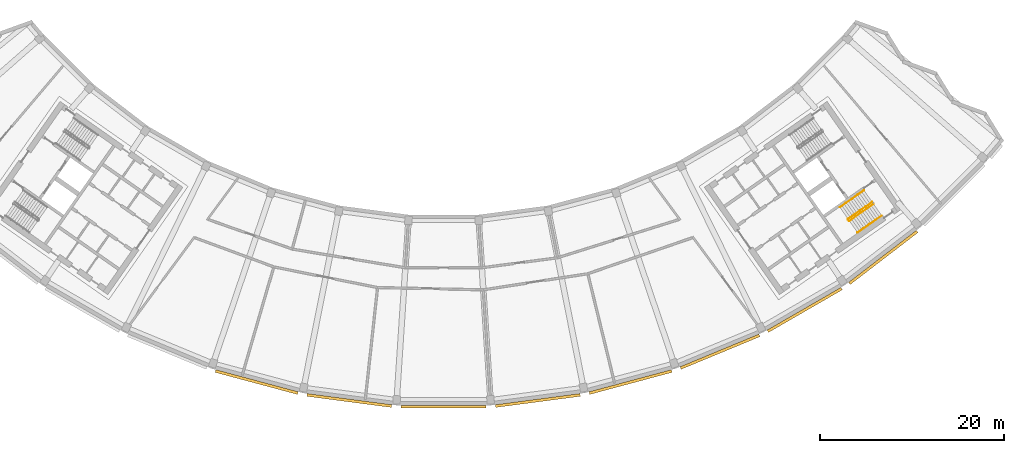
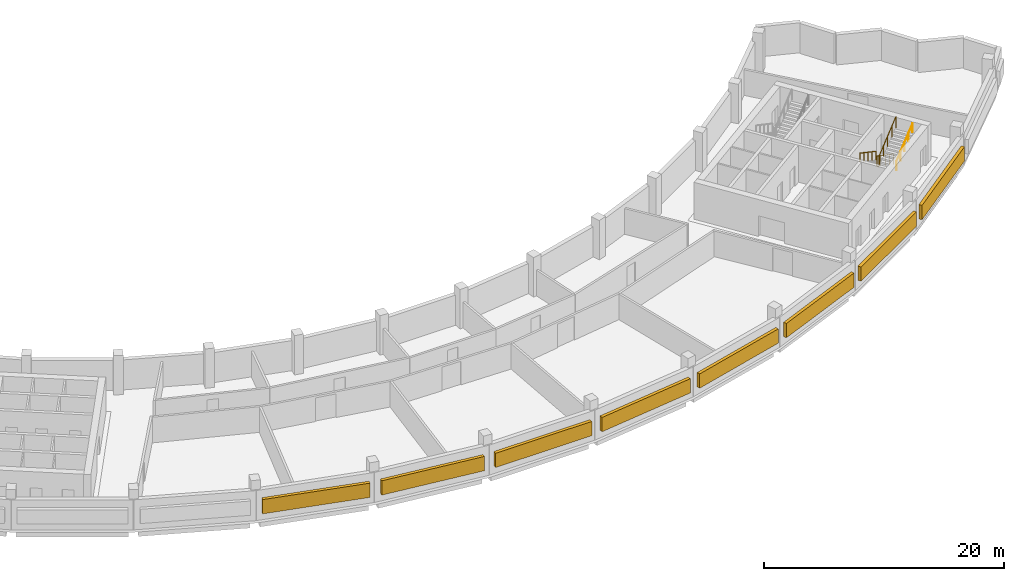
# One storey, part 10 of 11: 8 shading devices, 4 railings.
"""IFC4 building model written with IfcOpenShell, lengths in metres."""

import ifcopenshell
import ifcopenshell.guid

model = None  # the IFC model being written
_history = None  # IfcOwnerHistory: only IFC2X3 demands one
_inside = {}  # id of a spatial element -> (the spatial element, [elements in it])
_under = {}  # id of a project, library or spatial element -> (it, [spatial elements below it])
_declared = {}  # id of a project -> (the project, [libraries it declares])
_typed = {}  # id of a type object -> (the type object, [elements of that type])
_made_of = {}  # id of a material, layer set ... -> (it, [elements and type objects made of it])


def new_model(schema):
    """Start an empty IFC model of exactly this schema.

    Asked for "IFC4X3", IfcOpenShell would pick the latest addendum, in which some entities
    have other attributes; the version numbers below select the first issue.
    IFC2X3 requires an IfcOwnerHistory on every rooted entity: one is made here for all.
    """
    global model, _history
    if schema == "IFC4X3":
        model = ifcopenshell.file(schema_version=(4, 3, 0, 0))
    else:
        model = ifcopenshell.file(schema=schema)
    _inside.clear()
    _under.clear()
    _declared.clear()
    _typed.clear()
    _made_of.clear()
    _history = None
    if model.schema == "IFC2X3":
        org = make("IfcOrganization", Name="unknown")
        user = make(
            "IfcPersonAndOrganization",
            ThePerson=make("IfcPerson", FamilyName="unknown"),
            TheOrganization=org,
        )
        app = make(
            "IfcApplication",
            ApplicationDeveloper=org,
            Version="unknown",
            ApplicationFullName="unknown",
            ApplicationIdentifier="unknown",
        )
        _history = make(
            "IfcOwnerHistory",
            OwningUser=user,
            OwningApplication=app,
            ChangeAction="ADDED",
            CreationDate=0,
        )
    return model


def make(cls, **values):
    """One entity of the class cls with the attributes given. An attribute that is None is left unset."""
    return model.create_entity(
        cls, **{name: value for name, value in values.items() if value is not None}
    )


def rooted(cls, **values):
    """An entity with a GlobalId (a new one), such as an element, a storey or a relation."""
    return make(cls, GlobalId=ifcopenshell.guid.new(), OwnerHistory=_history, **values)


def si_unit(unit_type, name, prefix=None):
    """IfcSIUnit, for example si_unit("LENGTHUNIT", "METRE", prefix="MILLI")."""
    return make("IfcSIUnit", UnitType=unit_type, Prefix=prefix, Name=name)


def assignment(units):
    """IfcUnitAssignment: the units of a project."""
    return None if units is None else make("IfcUnitAssignment", Units=units)


def point(xyz):
    """IfcCartesianPoint."""
    return None if xyz is None else make("IfcCartesianPoint", Coordinates=xyz)


def direction(xyz):
    """IfcDirection."""
    return None if xyz is None else make("IfcDirection", DirectionRatios=xyz)


def frame(location, z_axis=None, x_axis=None):
    """IfcAxis2Placement3D, a coordinate frame: its origin and axes. An axis left out is left unset."""
    return make(
        "IfcAxis2Placement3D",
        Location=point(location),
        Axis=direction(z_axis),
        RefDirection=direction(x_axis),
    )


def frame_2d(location, x_axis=None):
    """IfcAxis2Placement2D, a coordinate frame in the plane: its origin and x axis."""
    return make(
        "IfcAxis2Placement2D", Location=point(location), RefDirection=direction(x_axis)
    )


def origin():
    """The frame at (0, 0, 0) with its axes left unset."""
    return frame((0.0, 0.0, 0.0))


def origin_2d():
    """The frame at (0, 0) in the plane with its x axis left unset."""
    return frame_2d((0.0, 0.0))


def place(relative_to, where):
    """IfcLocalPlacement: puts the frame where relative to a parent placement (None: the world)."""
    return make(
        "IfcLocalPlacement", PlacementRelTo=relative_to, RelativePlacement=where
    )


def context(
    kind, dimensions, precision=None, world=None, true_north=None, identifier=None
):
    """IfcGeometricRepresentationContext, for example the 3D "Model" context."""
    return make(
        "IfcGeometricRepresentationContext",
        ContextIdentifier=identifier,
        ContextType=kind,
        CoordinateSpaceDimension=dimensions,
        Precision=precision,
        WorldCoordinateSystem=world,
        TrueNorth=true_north,
    )


def subcontext(parent, identifier, kind, view, scale=None):
    """IfcGeometricRepresentationSubContext, for example "Body" below "Model"."""
    return make(
        "IfcGeometricRepresentationSubContext",
        ContextIdentifier=identifier,
        ContextType=kind,
        ParentContext=parent,
        TargetScale=scale,
        TargetView=view,
    )


def project(units=None, contexts=None):
    """IfcProject with its units and contexts."""
    return rooted(
        "IfcProject",
        Name="project",
        RepresentationContexts=contexts,
        UnitsInContext=assignment(units),
    )


def spatial(cls, under=None, at=None, **own):
    """A site, building, storey or space (cls), placed at a placement, below another one or the project."""
    s = rooted(cls, ObjectPlacement=at, **own)
    if under is not None:
        _under.setdefault(under.id(), (under, []))[1].append(s)
    return s


def profile(cls, at=None, kind="AREA", **sizes):
    """A parametric profile (cls). Its sizes go by their IFC names, for example OverallWidth=200.0."""
    return make(cls, ProfileType=kind, Position=at, **sizes)


def rectangle(**sizes):
    """IfcRectangleProfileDef."""
    return profile("IfcRectangleProfileDef", **sizes)


def circle(**sizes):
    """IfcCircleProfileDef."""
    return profile("IfcCircleProfileDef", **sizes)


def extrude(swept, where, along, depth):
    """IfcExtrudedAreaSolid: the profile swept, set in the frame where, extruded along a direction by depth."""
    return make(
        "IfcExtrudedAreaSolid",
        SweptArea=swept,
        Position=where,
        ExtrudedDirection=direction(along),
        Depth=depth,
    )


def shape(context_of_items, identifier, shape_type, items):
    """IfcShapeRepresentation: the items that make up one representation, for example the "Body"."""
    return make(
        "IfcShapeRepresentation",
        ContextOfItems=context_of_items,
        RepresentationIdentifier=identifier,
        RepresentationType=shape_type,
        Items=items,
    )


def material(Name=None, Category=None):
    """IfcMaterial."""
    return make("IfcMaterial", Name=Name, Category=Category)


def made_of(thing, what):
    """Note that an element or type object is made of a material, layer set ...; save() writes the relation."""
    if what is not None:
        _made_of.setdefault(what.id(), (what, []))[1].append(thing)
    return thing


def type_object(cls, material=None, **own):
    """A type object (cls), such as IfcWallType, which elements share."""
    return made_of(rooted(cls, **own), material)


def element(
    cls,
    number,
    at=None,
    inside=None,
    cuts=None,
    type_object=None,
    material=None,
    context=None,
    identifier="Body",
    shape_type=None,
    held_by="IfcProductDefinitionShape",
    body=None,
    shapes=None,
    **own,
):
    """One element of the class cls, such as IfcWall. Its Tag is "e" and its number.

    at: its placement. inside: the storey or other place that contains it. cuts: it is an
    opening in that element (IfcRelVoidsElement). A single representation is given by context,
    identifier, shape_type and body (its items); several are given by shapes. held_by: the class
    of the entity that holds the representations. save() writes the other relations.
    """
    e = rooted(cls, Tag="e%d" % number, ObjectPlacement=at, **own)
    if body is not None:
        shapes = [shape(context, identifier, shape_type, body)]
    if shapes is not None:
        e.Representation = make(held_by, Representations=shapes)
    if inside is not None:
        _inside.setdefault(inside.id(), (inside, []))[1].append(e)
    if cuts is not None:
        rooted(
            "IfcRelVoidsElement", RelatingBuildingElement=cuts, RelatedOpeningElement=e
        )
    if type_object is not None:
        _typed.setdefault(type_object.id(), (type_object, []))[1].append(e)
    return made_of(e, material)


def aggregate(whole, parts):
    """IfcRelAggregates: a whole, such as a stair, and the parts it consists of."""
    return rooted("IfcRelAggregates", RelatingObject=whole, RelatedObjects=parts)


def save(model, path):
    """Write the relations noted so far, then the file.

    IfcRelAggregates (storeys below a building ...), IfcRelContainedInSpatialStructure (elements
    in a storey), IfcRelDefinesByType, IfcRelAssociatesMaterial and IfcRelDeclares: one each for
    every whole, place, type object, material and project.
    """
    for whole, parts in _under.values():
        aggregate(whole, parts)
    for where, things in _inside.values():
        rooted(
            "IfcRelContainedInSpatialStructure",
            RelatedElements=things,
            RelatingStructure=where,
        )
    for kind, things in _typed.values():
        rooted("IfcRelDefinesByType", RelatedObjects=things, RelatingType=kind)
    for what, things in _made_of.values():
        rooted("IfcRelAssociatesMaterial", RelatedObjects=things, RelatingMaterial=what)
    for by, libraries in _declared.values():
        rooted("IfcRelDeclares", RelatingContext=by, RelatedDefinitions=libraries)
    model.write(path)


model = new_model("IFC4")

# Units and contexts
model_context = context("Model", 3, precision=1e-05, world=origin(), true_north=direction((0.0, 1.0)))
body_context = subcontext(model_context, "Body", "Model", "MODEL_VIEW")
ifc_project = project(units=[si_unit("LENGTHUNIT", "METRE"), si_unit("AREAUNIT", "SQUARE_METRE"), si_unit("VOLUMEUNIT", "CUBIC_METRE"), si_unit("PLANEANGLEUNIT", "RADIAN"), si_unit("MASSUNIT", "GRAM", prefix="KILO")], contexts=[model_context])

# Site, building, storey
site_placement = place(None, origin())
site = spatial("IfcSite", under=ifc_project, at=site_placement, CompositionType="ELEMENT")
building_placement = place(site_placement, origin())
building = spatial("IfcBuilding", under=site, at=building_placement, Name="Qamariyya Broadcast Tower", CompositionType="ELEMENT")
storey_placement = place(building_placement, frame((0.0, 0.0, 310.699951171875)))
storey = spatial("IfcBuildingStorey", under=building, at=storey_placement, Name="L75", CompositionType="ELEMENT", Elevation=310.699951171875)

# Railings
ifc_material_1 = material(Name="Painted steel", Category="steel")
railing_type_1 = type_object("IfcRailingType", Name="Stair guard", PredefinedType="GUARDRAIL", material=ifc_material_1)
railing_1_placement = place(storey_placement, frame((46.48095703125, -56.14306640625, 0.166748046875)))
element("IfcRailing", 1, at=railing_1_placement, inside=storey, type_object=railing_type_1, Name="L75 ST-E1 stair guard 1", PredefinedType="GUARDRAIL", context=body_context, shape_type="SweptSolid", body=[
    extrude(circle(Radius=0.02392578125, at=origin_2d()), frame((0.0, 0.0, 1.076171875), z_axis=(-0.710227693972, -0.497285465629, 0.498280832854), x_axis=(0.573559936391, -0.819163597438, 0.0)), (0.0, 0.0, 1.0), 3.67919921875),
    extrude(circle(Radius=0.02392578125, at=origin_2d()), frame((-2.613037109375, -1.82958984375, 2.9091796875), z_axis=(-0.176149252506, -0.984363469884, 0.0), x_axis=(0.984363469884, -0.176149252506, 0.0)), (0.0, 0.0, 1.0), 0.07080078125),
    extrude(circle(Radius=0.02392578125, at=origin_2d()), frame((-2.62548828125, -1.899169921875, 2.9091796875), z_axis=(0.57368046593, -0.819079192149, 0.0), x_axis=(0.819079192149, 0.57368046593, 0.0)), (0.0, 0.0, 1.0), 0.150146484375),
    extrude(circle(Radius=0.02099609375, at=origin_2d()), origin(), (0.0, 0.0, 1.0), 1.052001953125),
    extrude(circle(Radius=0.02099609375, at=origin_2d()), frame((-0.6533203125, -0.45751953125, 0.458251953125)), (0.0, 0.0, 1.0), 1.052001953125),
    extrude(circle(Radius=0.02099609375, at=origin_2d()), frame((-1.306640625, -0.914794921875, 0.91650390625)), (0.0, 0.0, 1.0), 1.052001953125),
    extrude(circle(Radius=0.02099609375, at=origin_2d()), frame((-1.959716796875, -1.3720703125, 1.375)), (0.0, 0.0, 1.0), 1.052001953125),
    extrude(circle(Radius=0.02099609375, at=origin_2d()), frame((-2.613037109375, -1.82958984375, 1.833251953125)), (0.0, 0.0, 1.0), 1.052001953125),
    extrude(circle(Radius=0.02099609375, at=origin_2d()), frame((-2.62548828125, -1.899169921875, 1.833251953125)), (0.0, 0.0, 1.0), 1.052001953125),
    extrude(circle(Radius=0.02099609375, at=origin_2d()), frame((-2.539306640625, -2.022216796875, 1.833251953125)), (0.0, 0.0, 1.0), 1.052001953125),
])
railing_2_placement = place(storey_placement, frame((44.01123046875, -58.177490234375, 2.166748046875)))
element("IfcRailing", 2, at=railing_2_placement, inside=storey, type_object=railing_type_1, Name="L75 ST-E1 stair guard 2", PredefinedType="GUARDRAIL", context=body_context, shape_type="SweptSolid", body=[
    extrude(circle(Radius=0.02392578125, at=origin_2d()), frame((0.0, 0.0, 1.076171875), z_axis=(0.710204256923, 0.497335411159, 0.498264389913), x_axis=(-0.573611290809, 0.819127637829, 0.0)), (0.0, 0.0, 1.0), 3.67919921875),
    extrude(circle(Radius=0.02099609375, at=origin_2d()), origin(), (0.0, 0.0, 1.0), 1.052001953125),
    extrude(circle(Radius=0.02099609375, at=origin_2d()), frame((0.6533203125, 0.45751953125, 0.458251953125)), (0.0, 0.0, 1.0), 1.052001953125),
    extrude(circle(Radius=0.02099609375, at=origin_2d()), frame((1.306640625, 0.9150390625, 0.91650390625)), (0.0, 0.0, 1.0), 1.052001953125),
    extrude(circle(Radius=0.02099609375, at=origin_2d()), frame((1.959716796875, 1.372314453125, 1.375)), (0.0, 0.0, 1.0), 1.052001953125),
    extrude(circle(Radius=0.02099609375, at=origin_2d()), frame((2.613037109375, 1.829833984375, 1.833251953125)), (0.0, 0.0, 1.0), 1.052001953125),
])
ifc_material_2 = material(Name="Stainless steel", Category="steel")
railing_type_2 = type_object("IfcRailingType", Name="Stair handrail", PredefinedType="HANDRAIL", material=ifc_material_2)
railing_3_placement = place(storey_placement, frame((45.591796875, -54.873291015625, 0.166748046875)))
element("IfcRailing", 3, at=railing_3_placement, inside=storey, type_object=railing_type_2, Name="L75 ST-E1 stair handrail 1", PredefinedType="HANDRAIL", context=body_context, shape_type="SweptSolid", body=[
    extrude(circle(Radius=0.02392578125, at=origin_2d()), frame((0.0, 0.0, 0.8759765625), z_axis=(-0.710227693972, -0.497285465629, 0.498280832854), x_axis=(0.573559936391, -0.819163597438, 0.0)), (0.0, 0.0, 1.0), 3.67919921875),
    extrude(circle(Radius=0.02099609375, at=origin_2d()), origin(), (0.0, 0.0, 1.0), 0.851806640625),
    extrude(circle(Radius=0.02099609375, at=origin_2d()), frame((-0.6533203125, -0.45751953125, 0.458251953125)), (0.0, 0.0, 1.0), 0.851806640625),
    extrude(circle(Radius=0.02099609375, at=origin_2d()), frame((-1.306640625, -0.914794921875, 0.91650390625)), (0.0, 0.0, 1.0), 0.851806640625),
    extrude(circle(Radius=0.02099609375, at=origin_2d()), frame((-1.959716796875, -1.3720703125, 1.375)), (0.0, 0.0, 1.0), 0.851806640625),
    extrude(circle(Radius=0.02099609375, at=origin_2d()), frame((-2.613037109375, -1.82958984375, 1.833251953125)), (0.0, 0.0, 1.0), 0.851806640625),
])
railing_4_placement = place(storey_placement, frame((44.900390625, -59.447265625, 2.166748046875)))
element("IfcRailing", 4, at=railing_4_placement, inside=storey, type_object=railing_type_2, Name="L75 ST-E1 stair handrail 2", PredefinedType="HANDRAIL", context=body_context, shape_type="SweptSolid", body=[
    extrude(circle(Radius=0.02392578125, at=origin_2d()), frame((0.0, 0.0, 0.8759765625), z_axis=(0.710204256923, 0.497335411159, 0.498264389913), x_axis=(-0.573611290809, 0.819127637829, 0.0)), (0.0, 0.0, 1.0), 3.67919921875),
    extrude(circle(Radius=0.02099609375, at=origin_2d()), origin(), (0.0, 0.0, 1.0), 0.851806640625),
    extrude(circle(Radius=0.02099609375, at=origin_2d()), frame((0.6533203125, 0.45751953125, 0.458251953125)), (0.0, 0.0, 1.0), 0.851806640625),
    extrude(circle(Radius=0.02099609375, at=origin_2d()), frame((1.306640625, 0.9150390625, 0.91650390625)), (0.0, 0.0, 1.0), 0.851806640625),
    extrude(circle(Radius=0.02099609375, at=origin_2d()), frame((1.959716796875, 1.372314453125, 1.375)), (0.0, 0.0, 1.0), 0.851806640625),
    extrude(circle(Radius=0.02099609375, at=origin_2d()), frame((2.613037109375, 1.829833984375, 1.833251953125)), (0.0, 0.0, 1.0), 0.851806640625),
])

# Shading devices
ifc_material_3 = material(Name="Glazed terracotta", Category="masonry")
shading_device_type = type_object("IfcShadingDeviceType", Name="Terracotta louvre bank", PredefinedType="USERDEFINED", material=ifc_material_3)
for number, where, z_axis, x_axis, name in (
    (5, (-20.27392578125, -75.6630859375, 0.80029296875), (0.0, 0.0, 1.0), (0.965925826289, -0.258819045103, 0.0), "e-lv-L75-05"),
    (6, (-10.224365234375, -77.662109375, 0.80029296875), (0.0, 0.0, 1.0), (0.991444861374, -0.13052619222, 0.0), "e-lv-L75-06"),
    (7, (0.0, -78.332275390625, 0.80029296875), (0.0, 0.0, 1.0), (1.0, 0.0, 0.0), "e-lv-L75-07"),
    (8, (10.224365234375, -77.662109375, 0.80029296875), (0.0, 0.0, 1.0), (0.991444861374, 0.13052619222, 0.0), "e-lv-L75-08"),
    (9, (20.27392578125, -75.6630859375, 0.80029296875), (0.0, 0.0, 1.0), (0.965925826289, 0.258819045103, 0.0), "e-lv-L75-09"),
    (10, (29.9765625, -72.36962890625, 0.80029296875), (0.0, 0.0, 1.0), (0.923879532511, 0.382683432365, 0.0), "e-lv-L75-10"),
    (11, (39.166015625, -67.837646484375, 0.80029296875), (0.0, 0.0, 1.0), (0.866025403784, 0.5, 0.0), "e-lv-L75-11"),
    (12, (47.685546875, -62.145263671875, 0.80029296875), (0.0, 0.0, 1.0), (0.793353340291, 0.608761429009, 0.0), "e-lv-L75-12"),
):
    element("IfcShadingDevice", number, at=place(storey_placement, frame(where, z_axis=z_axis, x_axis=x_axis)), inside=storey, type_object=shading_device_type, Name=name, ObjectType="LOUVRE", PredefinedType="USERDEFINED", context=body_context, shape_type="SweptSolid", body=[
        extrude(rectangle(XDim=9.248779296875, YDim=0.300048828125, at=origin_2d()), origin(), (0.0, 0.0, 1.0), 1.449951171875),
    ])

save(model, "model.ifc")
